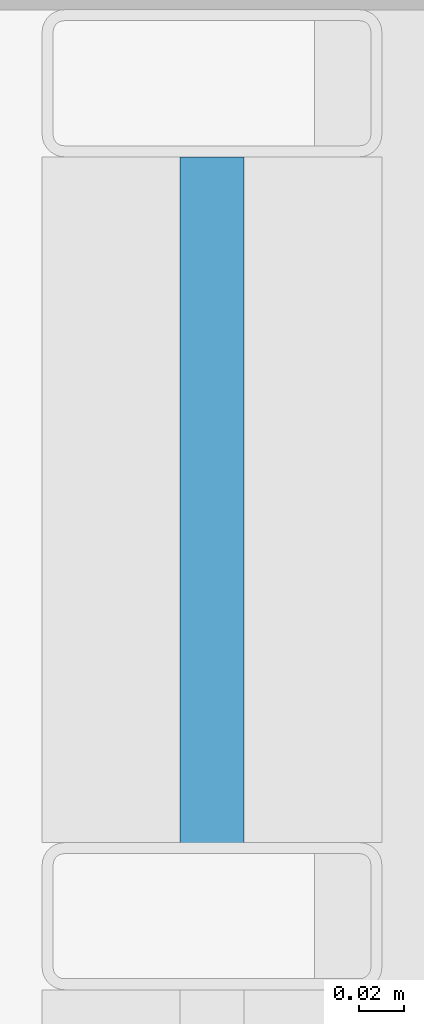
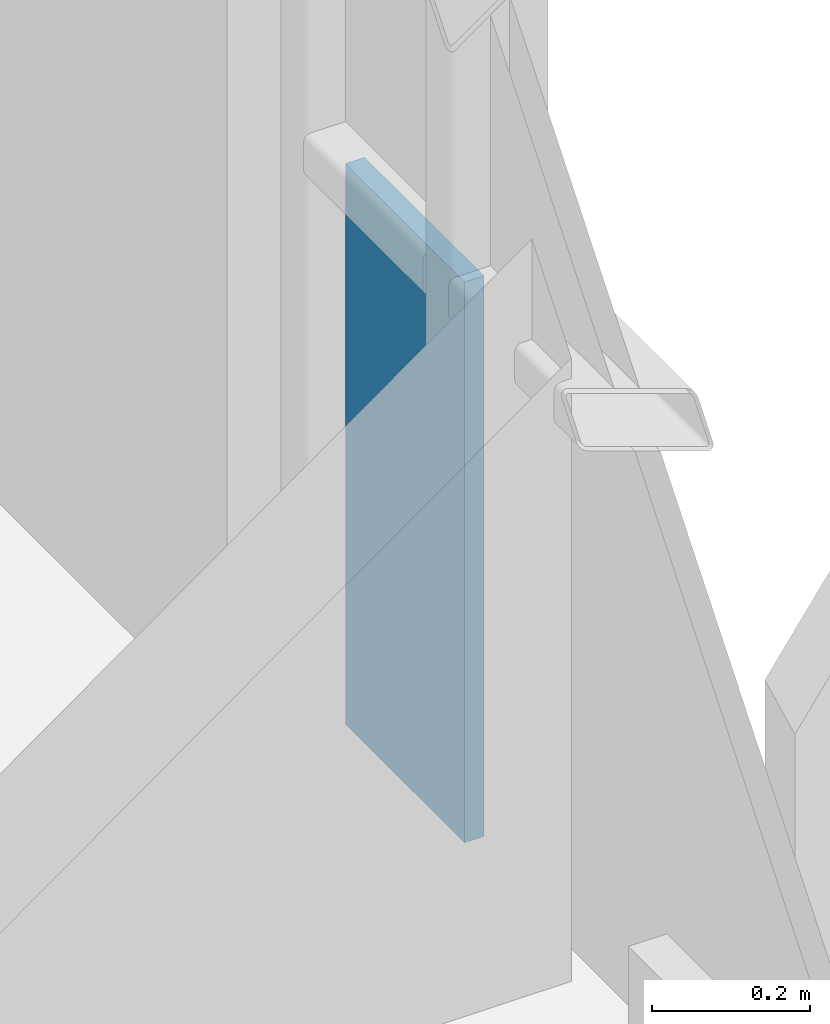
# One storey, part 26 of 39: 1 plate, 1 element without a shape of its own.
"""IFC4 building model written with IfcOpenShell, lengths in metres."""

from ifc_helpers import new_model, si_unit, direction, frame, origin, origin_2d, place, context, subcontext, project, spatial, rectangle, extrude, material, layer, layer_set, type_object, element, aggregate, save


model = new_model("IFC4")

# Units and contexts
model_context = context("Model", 3, precision=1e-05, world=origin(), true_north=direction((0.0, 1.0)))
body_context = subcontext(model_context, "Body", "Model", "MODEL_VIEW")
ifc_project = project(units=[si_unit("LENGTHUNIT", "METRE"), si_unit("AREAUNIT", "SQUARE_METRE"), si_unit("VOLUMEUNIT", "CUBIC_METRE"), si_unit("PLANEANGLEUNIT", "RADIAN"), si_unit("MASSUNIT", "GRAM", prefix="KILO")], contexts=[model_context])

# Site, building, storey
site_placement = place(None, origin())
site = spatial("IfcSite", under=ifc_project, at=site_placement, CompositionType="ELEMENT")
building_placement = place(site_placement, origin())
building = spatial("IfcBuilding", under=site, at=building_placement, Name="Brevholm Reach", CompositionType="ELEMENT")
storey_placement = place(building_placement, frame((0.0, 0.0, 103.5)))
storey = spatial("IfcBuildingStorey", under=building, at=storey_placement, Name="L30", CompositionType="ELEMENT", Elevation=103.5)

# Curtain wall, plate
ifc_material_1 = material(Name="Dark Anodised Aluminium 6063-T6 and Solar-Control Glass", Category="aluminium")
ifc_layer_1 = layer(ifc_material_1, 0.14990234375)
ifc_layer_set_1 = layer_set([ifc_layer_1], Name="Dark Anodised Aluminium 6063-T6 and Solar-Control Glass")
curtain_wall_type = type_object("IfcCurtainWallType", Name="CW-01", PredefinedType="NOTDEFINED", material=ifc_layer_set_1)
curtain_wall_placement = place(storey_placement, origin())
curtain_wall = element("IfcCurtainWall", 1, at=curtain_wall_placement, inside=storey, type_object=curtain_wall_type, Name="L30 Curtain Wall CW-01", PredefinedType="NOTDEFINED")
ifc_material_2 = material(Name="Dark Solar-Control Double-Glazed IGU Glass", Category="glass")
ifc_layer_2 = layer(ifc_material_2, 0.028076171875)
ifc_layer_set_2 = layer_set([ifc_layer_2], Name="Dark Solar-Control Double-Glazed IGU Glass")
plate_type = type_object("IfcPlateType", Name="CWP-GLZ-28", PredefinedType="CURTAIN_PANEL", material=ifc_layer_set_2)
plate_placement = place(storey_placement, frame((59.85009765625, 22.733642578125, 0.0), z_axis=(0.0, 0.0, 1.0), x_axis=(0.0, 1.0, 0.0)))
plate = element("IfcPlate", 2, at=plate_placement, type_object=plate_type, Name="CP-01 Glazing Panel 5.1", PredefinedType="CURTAIN_PANEL", context=body_context, shape_type="SweptSolid", body=[
    extrude(rectangle(XDim=0.302490234375, YDim=0.028076171875, at=origin_2d()), origin(), (0.0, 0.0, 1.0), 0.867431640625),
])
aggregate(curtain_wall, [plate])

save(model, "model.ifc")
